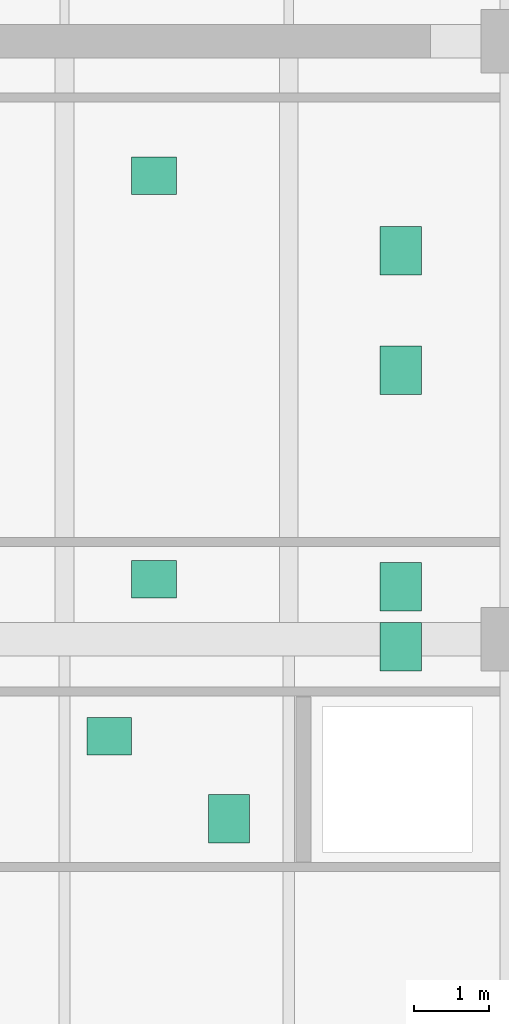
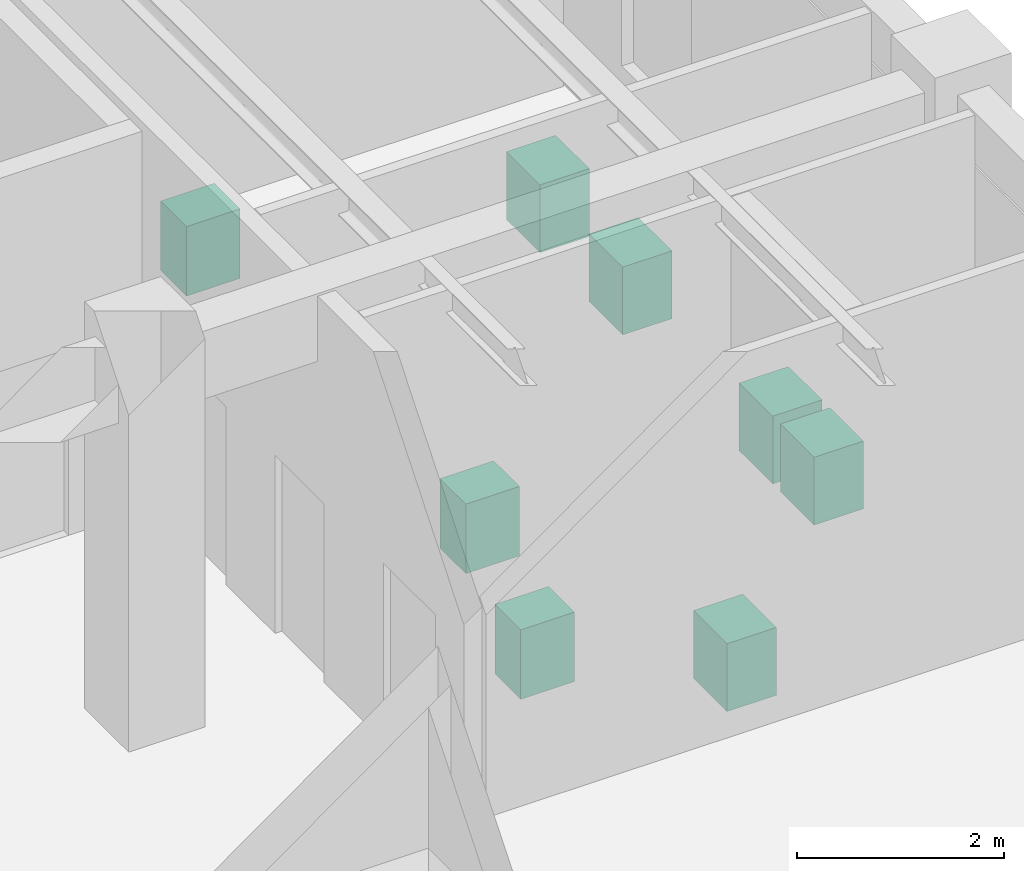
# One storey, part 178 of 178: 8 sanitary terminals.
"""IFC4 building model written with IfcOpenShell, lengths in metres."""

from ifc_helpers import new_model, si_unit, derived_unit, direction, frame, origin, origin_2d, place, context, subcontext, project, spatial, rectangle, extrude, material, type_object, element, save


model = new_model("IFC4")

# Units and contexts
model_context = context("Model", 3, precision=1e-05, world=origin(), true_north=direction((0.0, 1.0)))
body_context = subcontext(model_context, "Body", "Model", "MODEL_VIEW")
ifc_project = project(units=[si_unit("LENGTHUNIT", "METRE"), si_unit("AREAUNIT", "SQUARE_METRE"), si_unit("VOLUMEUNIT", "CUBIC_METRE"), si_unit("PLANEANGLEUNIT", "RADIAN"), si_unit("MASSUNIT", "GRAM", prefix="KILO"), derived_unit("THERMALTRANSMITTANCEUNIT", [(si_unit("MASSUNIT", "GRAM", prefix="KILO"), 1), (si_unit("TIMEUNIT", "SECOND"), -3), (si_unit("THERMODYNAMICTEMPERATUREUNIT", "KELVIN"), -1)])], contexts=[model_context])

# Site, building, storey
site_placement = place(None, origin())
site = spatial("IfcSite", under=ifc_project, at=site_placement, CompositionType="ELEMENT")
building_placement = place(site_placement, origin())
building = spatial("IfcBuilding", under=site, at=building_placement, Name="Zhenchuan Archway Interchange", CompositionType="ELEMENT")
storey_placement = place(building_placement, frame((0.0, 0.0, 5.39990234375)))
storey = spatial("IfcBuildingStorey", under=building, at=storey_placement, Name="L01", CompositionType="ELEMENT", Elevation=5.39990234375)

# Sanitary terminals
ifc_material = material(Name="Vitreous China", Category="ceramic")
sanitary_terminal_type_1 = type_object("IfcSanitaryTerminalType", Name="SAN_WASHHANDBASIN", PredefinedType="WASHHANDBASIN", material=ifc_material)
for number, where, z_axis, x_axis, name in (
    (1, (165.60009765625, 54.699951171875, 0.0), (0.0, 0.0, 1.0), (1.0, 0.0, 0.0), "Sanitary fixture 02 (L01)"),
    (2, (166.199951171875, 56.800048828125, 0.0), (0.0, 0.0, 1.0), (1.0, 0.0, 0.0), "Sanitary fixture 05 (L01)"),
    (3, (166.199951171875, 62.199951171875, 0.0), (0.0, 0.0, 1.0), (1.0, 0.0, 0.0), "Sanitary fixture 08 (L01)"),
):
    element("IfcSanitaryTerminal", number, at=place(storey_placement, frame(where, z_axis=z_axis, x_axis=x_axis)), inside=storey, type_object=sanitary_terminal_type_1, Name=name, PredefinedType="WASHHANDBASIN", context=body_context, shape_type="SweptSolid", body=[
        extrude(rectangle(XDim=0.60009765625, YDim=0.5, at=origin_2d()), origin(), (0.0, 0.0, 1.0), 0.820068359375),
    ])
sanitary_terminal_type_2 = type_object("IfcSanitaryTerminalType", Name="SAN_WCSEAT", PredefinedType="WCSEAT", material=ifc_material)
for number, where, z_axis, x_axis, name in (
    (4, (167.199951171875, 53.60009765625, 0.0), (0.0, 0.0, 1.0), (1.0, 0.0, 0.0), "Sanitary fixture 01 (L01)"),
    (5, (169.5, 55.89990234375, 0.0), (0.0, 0.0, 1.0), (1.0, 0.0, 0.0), "Sanitary fixture 03 (L01)"),
    (6, (169.5, 56.699951171875, 0.0), (0.0, 0.0, 1.0), (1.0, 0.0, 0.0), "Sanitary fixture 04 (L01)"),
    (7, (169.5, 59.60009765625, 0.0), (0.0, 0.0, 1.0), (1.0, 0.0, 0.0), "Sanitary fixture 06 (L01)"),
    (8, (169.5, 61.199951171875, 0.0), (0.0, 0.0, 1.0), (1.0, 0.0, 0.0), "Sanitary fixture 07 (L01)"),
):
    element("IfcSanitaryTerminal", number, at=place(storey_placement, frame(where, z_axis=z_axis, x_axis=x_axis)), inside=storey, type_object=sanitary_terminal_type_2, Name=name, PredefinedType="WCSEAT", context=body_context, shape_type="SweptSolid", body=[
        extrude(rectangle(XDim=0.550048828125, YDim=0.64990234375, at=origin_2d()), origin(), (0.0, 0.0, 1.0), 0.800048828125),
    ])

save(model, "model.ifc")
